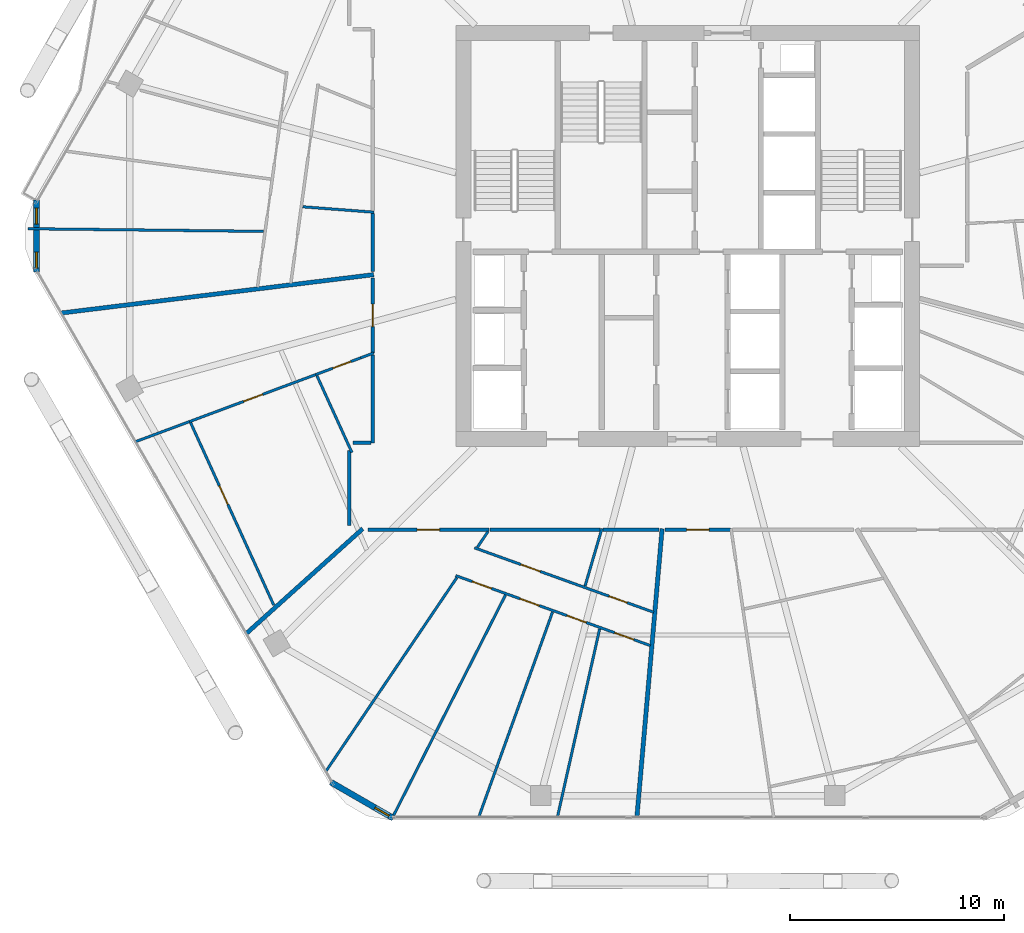
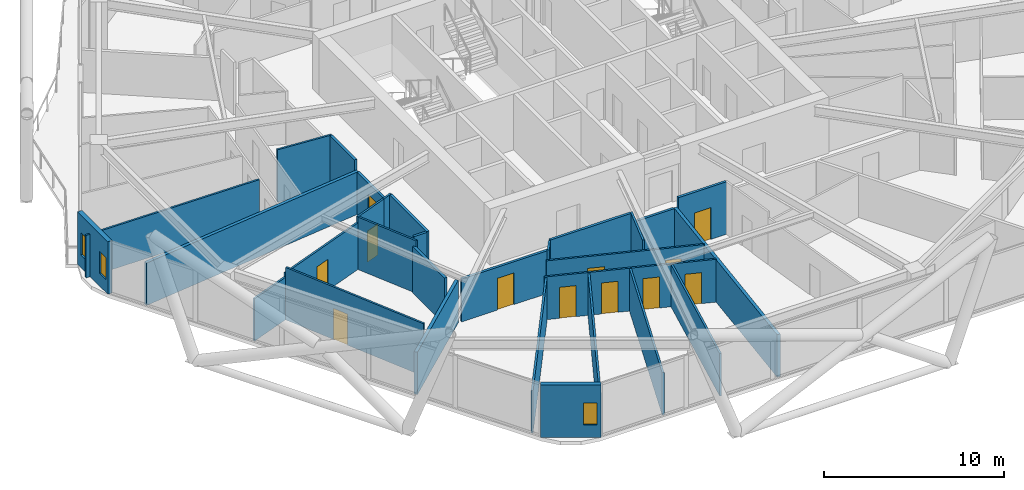
# One storey, part 20 of 28: 30 walls, 12 doors, 3 windows, 15 openings.
"""IFC4 building model written with IfcOpenShell, lengths in metres."""

from ifc_helpers import new_model, si_unit, direction, frame, frame_2d, origin, place, context, subcontext, project, spatial, rectangle, extrude, material, layer, layer_set, type_object, element, fill, save


model = new_model("IFC4")

# Units and contexts
model_context = context("Model", 3, precision=1e-05, world=origin(), true_north=direction((0.0, 1.0)))
body_context = subcontext(model_context, "Body", "Model", "MODEL_VIEW")
ifc_project = project(units=[si_unit("LENGTHUNIT", "METRE"), si_unit("AREAUNIT", "SQUARE_METRE"), si_unit("VOLUMEUNIT", "CUBIC_METRE"), si_unit("PLANEANGLEUNIT", "RADIAN"), si_unit("MASSUNIT", "GRAM", prefix="KILO")], contexts=[model_context])

# Site, building, storey
site_placement = place(None, origin())
site = spatial("IfcSite", under=ifc_project, at=site_placement, CompositionType="ELEMENT")
building_placement = place(site_placement, origin())
building = spatial("IfcBuilding", under=site, at=building_placement, Name="Zuhravey Tower", CompositionType="ELEMENT")
storey_placement = place(building_placement, frame((0.0, 0.0, 199.800048828125)))
storey = spatial("IfcBuildingStorey", under=building, at=storey_placement, Name="L50", CompositionType="ELEMENT", Elevation=199.800048828125)

# Wall, opening, door
ifc_material_1 = material(Name="Gypsum fire-rated stud partition")
ifc_layer_1 = layer(ifc_material_1, 0.159912109375)
ifc_layer_set_1 = layer_set([ifc_layer_1], Name="Gypsum fire-rated stud partition")
wall_type_1 = type_object("IfcWallType", Name="Corridor Fire Partition 160", PredefinedType="PARTITIONING", material=ifc_layer_set_1)
wall_1_placement = place(storey_placement, frame((21.27001953125, 30.04052734375, 0.0), z_axis=(0.0, 0.0, 1.0), x_axis=(0.0, -1.0, 0.0)))
wall_1 = element("IfcWall", 1, at=wall_1_placement, inside=storey, type_object=wall_type_1, Name="L50 IW16 Partition 039", PredefinedType="PARTITIONING", context=body_context, shape_type="SweptSolid", body=[
    extrude(rectangle(XDim=3.503173828125, YDim=0.159912109375, at=frame_2d((1.75146484375, 0.0))), origin(), (0.0, 0.0, 1.0), 2.89990234375),
])
opening_1_placement = place(wall_1_placement, frame((1.2265625, 0.0, 0.0)))
opening_1 = element("IfcOpeningElement", 2, at=opening_1_placement, cuts=wall_1, Name="Opening APD1", PredefinedType="OPENING", context=body_context, shape_type="SweptSolid", body=[
    extrude(rectangle(XDim=1.050048828125, YDim=2.14990234375, at=frame_2d((0.52490234375, 1.074951171875))), frame((0.0, 0.092041015625, 0.0), z_axis=(0.0, -1.0, 0.0), x_axis=(1.0, 0.0, 0.0)), (0.0, 0.0, 1.0), 0.183837890625),
])
ifc_material_2 = material(Name="Solid-core oak fire-rated leaf")
door_type_1 = type_object("IfcDoorType", Name="Apartment Entrance Fire Door 1050x2150", OperationType="NOTDEFINED", PredefinedType="DOOR", material=ifc_material_2)
door_1_placement = place(opening_1_placement, frame((1.050048828125, 0.0, 0.0), z_axis=(0.0, 0.0, 1.0), x_axis=(-1.0, 0.0, 0.0)))
door_1 = element("IfcDoor", 3, at=door_1_placement, inside=storey, type_object=door_type_1, Name="L50 Door 039.1", OperationType="SINGLE_SWING_LEFT", OverallHeight=2.14990234375, OverallWidth=1.050048828125, PredefinedType="DOOR", context=body_context, shape_type="SweptSolid", body=[
    extrude(rectangle(XDim=1.050048828125, YDim=2.14990234375, at=frame_2d((0.52490234375, 1.074951171875))), frame((0.0, 0.02490234375, 0.0), z_axis=(0.0, -1.0, 0.0), x_axis=(1.0, 0.0, 0.0)), (0.0, 0.0, 1.0), 0.050048828125),
])
fill(opening_1, door_1)

wall_2_placement = place(storey_placement, frame((21.0458984375, 18.27001953125, 0.0), z_axis=(0.0, 0.0, 1.0), x_axis=(1.0, 0.0, 0.0)))
wall_2 = element("IfcWall", 4, at=wall_2_placement, inside=storey, type_object=wall_type_1, Name="L50 IW16 Partition 042", PredefinedType="PARTITIONING", context=body_context, shape_type="SweptSolid", body=[
    extrude(rectangle(XDim=5.64794921875, YDim=0.159912109375, at=frame_2d((2.823974609375, 0.0))), origin(), (0.0, 0.0, 1.0), 2.89990234375),
])
opening_2_placement = place(wall_2_placement, frame((2.299072265625, 0.0, 0.0)))
opening_2 = element("IfcOpeningElement", 5, at=opening_2_placement, cuts=wall_2, Name="Opening APD1", PredefinedType="OPENING", context=body_context, shape_type="SweptSolid", body=[
    extrude(rectangle(XDim=1.050048828125, YDim=2.14990234375, at=frame_2d((0.52490234375, 1.074951171875))), frame((0.0, 0.092041015625, 0.0), z_axis=(0.0, -1.0, 0.0), x_axis=(1.0, 0.0, 0.0)), (0.0, 0.0, 1.0), 0.183837890625),
])
door_2_placement = place(opening_2_placement, frame((1.050048828125, 0.0, 0.0), z_axis=(0.0, 0.0, 1.0), x_axis=(-1.0, 0.0, 0.0)))
door_2 = element("IfcDoor", 6, at=door_2_placement, inside=storey, type_object=door_type_1, Name="L50 Door 042.1", OperationType="SINGLE_SWING_RIGHT", OverallHeight=2.14990234375, OverallWidth=1.050048828125, PredefinedType="DOOR", context=body_context, shape_type="SweptSolid", body=[
    extrude(rectangle(XDim=1.050048828125, YDim=2.14990234375, at=frame_2d((0.52490234375, 1.074951171875))), frame((0.0, 0.02490234375, 0.0), z_axis=(0.0, -1.0, 0.0), x_axis=(1.0, 0.0, 0.0)), (0.0, 0.0, 1.0), 0.050048828125),
])
fill(opening_2, door_2)

wall_3_placement = place(storey_placement, frame((34.939453125, 18.27001953125, 0.0), z_axis=(0.0, 0.0, 1.0), x_axis=(1.0, 0.0, 0.0)))
wall_3 = element("IfcWall", 7, at=wall_3_placement, inside=storey, type_object=wall_type_1, Name="L50 IW16 Partition 046", PredefinedType="PARTITIONING", context=body_context, shape_type="SweptSolid", body=[
    extrude(rectangle(XDim=3.07275390625, YDim=0.159912109375, at=frame_2d((1.536376953125, 0.0))), origin(), (0.0, 0.0, 1.0), 3.550048828125),
])
opening_3_placement = place(wall_3_placement, frame((1.01123046875, 0.0, 0.0)))
opening_3 = element("IfcOpeningElement", 8, at=opening_3_placement, cuts=wall_3, Name="Opening APD1", PredefinedType="OPENING", context=body_context, shape_type="SweptSolid", body=[
    extrude(rectangle(XDim=1.050048828125, YDim=2.14990234375, at=frame_2d((0.52490234375, 1.074951171875))), frame((0.0, 0.092041015625, 0.0), z_axis=(0.0, -1.0, 0.0), x_axis=(1.0, 0.0, 0.0)), (0.0, 0.0, 1.0), 0.183837890625),
])
door_3_placement = place(opening_3_placement, frame((1.050048828125, 0.0, 0.0), z_axis=(0.0, 0.0, 1.0), x_axis=(-1.0, 0.0, 0.0)))
door_3 = element("IfcDoor", 9, at=door_3_placement, inside=storey, type_object=door_type_1, Name="L50 Door 046.1", OperationType="SINGLE_SWING_RIGHT", OverallHeight=2.14990234375, OverallWidth=1.050048828125, PredefinedType="DOOR", context=body_context, shape_type="SweptSolid", body=[
    extrude(rectangle(XDim=1.050048828125, YDim=2.14990234375, at=frame_2d((0.52490234375, 1.074951171875))), frame((0.0, 0.02490234375, 0.0), z_axis=(0.0, -1.0, 0.0), x_axis=(1.0, 0.0, 0.0)), (0.0, 0.0, 1.0), 0.050048828125),
])
fill(opening_3, door_3)

# Walls
wall_4_placement = place(storey_placement, frame((21.27001953125, 33.052978515625, 0.0), z_axis=(0.0, 0.0, 1.0), x_axis=(0.0, -1.0, 0.0)))
element("IfcWall", 10, at=wall_4_placement, inside=storey, type_object=wall_type_1, Name="L50 IW16 Partition 128", PredefinedType="PARTITIONING", context=body_context, shape_type="SweptSolid", body=[
    extrude(rectangle(XDim=2.711181640625, YDim=0.159912109375, at=frame_2d((1.35546875, 0.0))), origin(), (0.0, 0.0, 1.0), 3.550048828125),
])
wall_5_placement = place(storey_placement, frame((21.27001953125, 26.443603515625, 0.0), z_axis=(0.0, 0.0, 1.0), x_axis=(0.0, -1.0, 0.0)))
element("IfcWall", 11, at=wall_5_placement, inside=storey, type_object=wall_type_1, Name="L50 IW16 Partition 129", PredefinedType="PARTITIONING", context=body_context, shape_type="SweptSolid", body=[
    extrude(rectangle(XDim=4.113525390625, YDim=0.159912109375, at=frame_2d((2.056640625, 0.0))), origin(), (0.0, 0.0, 1.0), 3.550048828125),
])
wall_6_placement = place(storey_placement, frame((21.181884765625, 22.330078125, 0.0), z_axis=(0.0, 0.0, 1.0), x_axis=(-1.0, 0.0, 0.0)))
element("IfcWall", 12, at=wall_6_placement, inside=storey, type_object=wall_type_1, Name="L50 IW16 Partition 130", PredefinedType="PARTITIONING", context=body_context, shape_type="SweptSolid", body=[
    extrude(rectangle(XDim=0.831787109375, YDim=0.159912109375, at=frame_2d((0.416015625, 0.0))), origin(), (0.0, 0.0, 1.0), 3.550048828125),
])
wall_7_placement = place(storey_placement, frame((20.169921875, 21.975830078125, 0.0), z_axis=(0.0, 0.0, 1.0), x_axis=(0.0, -1.0, 0.0)))
element("IfcWall", 13, at=wall_7_placement, inside=storey, type_object=wall_type_1, Name="L50 IW16 Partition 131", PredefinedType="PARTITIONING", context=body_context, shape_type="SweptSolid", body=[
    extrude(rectangle(XDim=3.52587890625, YDim=0.159912109375, at=frame_2d((1.762939453125, 0.0))), origin(), (0.0, 0.0, 1.0), 3.14990234375),
])
wall_8_placement = place(storey_placement, frame((26.7421875, 18.27001953125, 0.0), z_axis=(0.0, 0.0, 1.0), x_axis=(1.0, 0.0, 0.0)))
element("IfcWall", 14, at=wall_8_placement, inside=storey, type_object=wall_type_1, Name="L50 IW16 Partition 132", PredefinedType="PARTITIONING", context=body_context, shape_type="SweptSolid", body=[
    extrude(rectangle(XDim=5.158203125, YDim=0.159912109375, at=frame_2d((2.5791015625, 0.0))), origin(), (0.0, 0.0, 1.0), 3.550048828125),
])
wall_9_placement = place(storey_placement, frame((32.042236328125, 18.27001953125, 0.0), z_axis=(0.0, 0.0, 1.0), x_axis=(1.0, 0.0, 0.0)))
element("IfcWall", 15, at=wall_9_placement, inside=storey, type_object=wall_type_1, Name="L50 IW16 Partition 133", PredefinedType="PARTITIONING", context=body_context, shape_type="SweptSolid", body=[
    extrude(rectangle(XDim=2.61572265625, YDim=0.159912109375, at=frame_2d((1.307861328125, 0.0))), origin(), (0.0, 0.0, 1.0), 2.89990234375),
])

# Wall, opening, window
ifc_material_3 = material(Name="Precast concrete C40/50", Category="concrete")
ifc_layer_2 = layer(ifc_material_3, 0.280029296875)
ifc_layer_set_2 = layer_set([ifc_layer_2], Name="Precast concrete C40/50")
wall_type_2 = type_object("IfcWallType", Name="Crown Architectural Wall 280", PredefinedType="SOLIDWALL", material=ifc_layer_set_2)
wall_10_placement = place(storey_placement, frame((22.22119140625, 4.769287109375, 0.0), z_axis=(0.0, 0.0, 1.0), x_axis=(-0.866020068361, 0.500009241111, 0.0)))
wall_10 = element("IfcWall", 16, at=wall_10_placement, inside=storey, type_object=wall_type_2, Name="L50 Rounded Corner Closure Wall EW28-04", PredefinedType="SOLIDWALL", context=body_context, shape_type="SweptSolid", body=[
    extrude(rectangle(XDim=3.365234375, YDim=0.280029296875, at=frame_2d((1.6826171875, 0.0))), origin(), (0.0, 0.0, 1.0), 3.550048828125),
])
opening_4_placement = place(wall_10_placement, frame((0.22802734375, 0.0, 0.85009765625)))
opening_4 = element("IfcOpeningElement", 17, at=opening_4_placement, cuts=wall_10, Name="Opening WN5", PredefinedType="OPENING", context=body_context, shape_type="SweptSolid", body=[
    extrude(rectangle(XDim=0.75, YDim=1.5, at=frame_2d((0.375, 0.75))), frame((0.0, 0.152099609375, 0.0), z_axis=(0.0, -1.0, 0.0), x_axis=(1.0, 0.0, 0.0)), (0.0, 0.0, 1.0), 0.303955078125),
])
ifc_material_4 = material(Name="Thermally broken aluminium and triple low-E glass", Category="aluminium")
window_type = type_object("IfcWindowType", Name="Residential Corner Casement Window 750x1500", PartitioningType="SINGLE_PANEL", PredefinedType="WINDOW", material=ifc_material_4)
window_1_placement = place(opening_4_placement, origin())
window_1 = element("IfcWindow", 18, at=window_1_placement, inside=storey, type_object=window_type, Name="L50 Corner Casement Window WN5-04.1", OverallHeight=1.5, OverallWidth=0.75, PartitioningType="SINGLE_PANEL", PredefinedType="WINDOW", context=body_context, shape_type="SweptSolid", body=[
    extrude(rectangle(XDim=0.75, YDim=1.5, at=frame_2d((0.375, 0.75))), frame((0.0, 0.030029296875, 0.0), z_axis=(0.0, -1.0, 0.0), x_axis=(1.0, 0.0, 0.0)), (0.0, 0.0, 1.0), 0.06005859375),
])
fill(opening_4, window_1)

# Wall, openings, windows
wall_11_placement = place(storey_placement, frame((5.5283203125, 30.3173828125, 0.0), z_axis=(0.0, 0.0, 1.0), x_axis=(0.0, 1.0, 0.0)))
wall_11 = element("IfcWall", 19, at=wall_11_placement, inside=storey, type_object=wall_type_2, Name="L50 Rounded Corner Closure Wall EW28-06", PredefinedType="SOLIDWALL", context=body_context, shape_type="SweptSolid", body=[
    extrude(rectangle(XDim=3.365234375, YDim=0.280029296875, at=frame_2d((1.6826171875, 0.0))), origin(), (0.0, 0.0, 1.0), 3.550048828125),
])
opening_5_placement = place(wall_11_placement, frame((2.23974609375, 0.0, 0.85009765625)))
opening_5 = element("IfcOpeningElement", 20, at=opening_5_placement, cuts=wall_11, Name="Opening WN5", PredefinedType="OPENING", context=body_context, shape_type="SweptSolid", body=[
    extrude(rectangle(XDim=0.75, YDim=1.5, at=frame_2d((0.375, 0.75))), frame((0.0, 0.152099609375, 0.0), z_axis=(0.0, -1.0, 0.0), x_axis=(1.0, 0.0, 0.0)), (0.0, 0.0, 1.0), 0.303955078125),
])
opening_6_placement = place(wall_11_placement, frame((0.17919921875, 0.0, 0.85009765625)))
opening_6 = element("IfcOpeningElement", 21, at=opening_6_placement, cuts=wall_11, Name="Opening WN5", PredefinedType="OPENING", context=body_context, shape_type="SweptSolid", body=[
    extrude(rectangle(XDim=0.75, YDim=1.5, at=frame_2d((0.375, 0.75))), frame((0.0, 0.152099609375, 0.0), z_axis=(0.0, -1.0, 0.0), x_axis=(1.0, 0.0, 0.0)), (0.0, 0.0, 1.0), 0.303955078125),
])
window_2_placement = place(opening_5_placement, origin())
window_2 = element("IfcWindow", 22, at=window_2_placement, inside=storey, type_object=window_type, Name="L50 Corner Casement Window WN5-06.1", OverallHeight=1.5, OverallWidth=0.75, PartitioningType="SINGLE_PANEL", PredefinedType="WINDOW", context=body_context, shape_type="SweptSolid", body=[
    extrude(rectangle(XDim=0.75, YDim=1.5, at=frame_2d((0.375, 0.75))), frame((0.0, 0.030029296875, 0.0), z_axis=(0.0, -1.0, 0.0), x_axis=(1.0, 0.0, 0.0)), (0.0, 0.0, 1.0), 0.06005859375),
])
fill(opening_5, window_2)
window_3_placement = place(opening_6_placement, origin())
window_3 = element("IfcWindow", 23, at=window_3_placement, inside=storey, type_object=window_type, Name="L50 Corner Casement Window WN5-06.2", OverallHeight=1.5, OverallWidth=0.75, PartitioningType="SINGLE_PANEL", PredefinedType="WINDOW", context=body_context, shape_type="SweptSolid", body=[
    extrude(rectangle(XDim=0.75, YDim=1.5, at=frame_2d((0.375, 0.75))), frame((0.0, 0.030029296875, 0.0), z_axis=(0.0, -1.0, 0.0), x_axis=(1.0, 0.0, 0.0)), (0.0, 0.0, 1.0), 0.06005859375),
])
fill(opening_6, window_3)

# Walls
ifc_material_5 = material(Name="Gypsum double-stud party assembly")
ifc_layer_3 = layer(ifc_material_5, 0.199951171875)
ifc_layer_set_3 = layer_set([ifc_layer_3], Name="Gypsum double-stud party assembly")
wall_type_3 = type_object("IfcWallType", Name="Inter-Tenancy Party Wall 200", PredefinedType="PARTITIONING", material=ifc_layer_set_3)
wall_12_placement = place(storey_placement, frame((21.31005859375, 30.1962890625, 0.0), z_axis=(0.0, 0.0, 1.0), x_axis=(-0.992546304435, -0.121868098997, 0.0)))
element("IfcWall", 24, at=wall_12_placement, inside=storey, type_object=wall_type_3, Name="L50 IW20 Partition 090", PredefinedType="PARTITIONING", context=body_context, shape_type="SweptSolid", body=[
    extrude(rectangle(XDim=14.73046875, YDim=0.199951171875, at=frame_2d((7.365234375, 0.0))), origin(), (0.0, 0.0, 1.0), 2.869873046875),
])
wall_13_placement = place(storey_placement, frame((20.795654296875, 18.31005859375, 0.0), z_axis=(0.0, 0.0, 1.0), x_axis=(-0.743136814575, -0.66913950326, 0.0)))
element("IfcWall", 25, at=wall_13_placement, inside=storey, type_object=wall_type_3, Name="L50 IW20 Partition 094", PredefinedType="PARTITIONING", context=body_context, shape_type="SweptSolid", body=[
    extrude(rectangle(XDim=7.3310546875, YDim=0.199951171875, at=frame_2d((3.66552734375, 0.0))), origin(), (0.0, 0.0, 1.0), 2.869873046875),
])
wall_14_placement = place(storey_placement, frame((34.80224609375, 18.31005859375, 0.0), z_axis=(0.0, 0.0, 1.0), x_axis=(-0.087149956805, -0.996195204279, 0.0)))
element("IfcWall", 26, at=wall_14_placement, inside=storey, type_object=wall_type_3, Name="L50 IW20 Partition 101", PredefinedType="PARTITIONING", context=body_context, shape_type="SweptSolid", body=[
    extrude(rectangle(XDim=13.544677734375, YDim=0.199951171875, at=frame_2d((6.7724609375, 0.0))), origin(), (0.0, 0.0, 1.0), 2.869873046875),
])

# Wall, opening, door
ifc_material_6 = material(Name="Gypsum metal-stud partition")
ifc_layer_4 = layer(ifc_material_6, 0.1201171875)
ifc_layer_set_4 = layer_set([ifc_layer_4], Name="Gypsum metal-stud partition")
wall_type_4 = type_object("IfcWallType", Name="Unit Internal Partition 120", PredefinedType="PARTITIONING", material=ifc_layer_set_4)
wall_15_placement = place(storey_placement, frame((20.699951171875, 26.303955078125, 0.0), z_axis=(0.0, 0.0, 1.0), x_axis=(-0.937146429419, -0.34893634065, 0.0)))
wall_15 = element("IfcWall", 27, at=wall_15_placement, inside=storey, type_object=wall_type_4, Name="L50 IW12 Partition 036", PredefinedType="PARTITIONING", context=body_context, shape_type="SweptSolid", body=[
    extrude(rectangle(XDim=2.23974609375, YDim=0.1201171875, at=frame_2d((1.119873046875, 0.0))), origin(), (0.0, 0.0, 1.0), 3.550048828125),
])
opening_7_placement = place(wall_15_placement, frame((0.490478515625, 0.0, 0.0)))
opening_7 = element("IfcOpeningElement", 28, at=opening_7_placement, cuts=wall_15, Name="Opening WCD1", PredefinedType="OPENING", context=body_context, shape_type="SweptSolid", body=[
    extrude(rectangle(XDim=0.89990234375, YDim=2.10009765625, at=frame_2d((0.449951171875, 1.050048828125))), frame((0.0, 0.072021484375, 0.0), z_axis=(0.0, -1.0, 0.0), x_axis=(1.0, 0.0, 0.0)), (0.0, 0.0, 1.0), 0.14404296875),
])
ifc_material_7 = material(Name="Moisture-resistant timber leaf", Category="wood")
door_type_2 = type_object("IfcDoorType", Name="Bathroom & WC Internal Door 900x2100", OperationType="NOTDEFINED", PredefinedType="DOOR", material=ifc_material_7)
door_4_placement = place(opening_7_placement, origin())
door_4 = element("IfcDoor", 29, at=door_4_placement, inside=storey, type_object=door_type_2, Name="Apartment L50-05 Bathroom Door", OperationType="SINGLE_SWING_RIGHT", OverallHeight=2.10009765625, OverallWidth=0.89990234375, PredefinedType="DOOR", context=body_context, shape_type="SweptSolid", body=[
    extrude(rectangle(XDim=0.89990234375, YDim=2.10009765625, at=frame_2d((0.449951171875, 1.050048828125))), frame((0.0, 0.02490234375, 0.0), z_axis=(0.0, -1.0, 0.0), x_axis=(1.0, 0.0, 0.0)), (0.0, 0.0, 1.0), 0.050048828125),
])
fill(opening_7, door_4)

wall_16_placement = place(storey_placement, frame((18.60107421875, 25.5224609375, 0.0), z_axis=(0.0, 0.0, 1.0), x_axis=(-0.937158847228, -0.348902988039, 0.0)))
wall_16 = element("IfcWall", 30, at=wall_16_placement, inside=storey, type_object=wall_type_4, Name="L50 IW12 Partition 037", PredefinedType="PARTITIONING", context=body_context, shape_type="SweptSolid", body=[
    extrude(rectangle(XDim=6.3046875, YDim=0.1201171875, at=frame_2d((3.15234375, 0.0))), origin(), (0.0, 0.0, 1.0), 3.14990234375),
])
opening_8_placement = place(wall_16_placement, frame((2.65234375, 0.0, 0.0)))
opening_8 = element("IfcOpeningElement", 31, at=opening_8_placement, cuts=wall_16, Name="Opening IND1", PredefinedType="OPENING", context=body_context, shape_type="SweptSolid", body=[
    extrude(rectangle(XDim=0.949951171875, YDim=2.10009765625, at=frame_2d((0.47509765625, 1.050048828125))), frame((0.0, 0.072021484375, 0.0), z_axis=(0.0, -1.0, 0.0), x_axis=(1.0, 0.0, 0.0)), (0.0, 0.0, 1.0), 0.14404296875),
])
ifc_material_8 = material(Name="Painted engineered timber leaf", Category="wood")
door_type_3 = type_object("IfcDoorType", Name="Internal Room & Bedroom Door 950x2100", OperationType="NOTDEFINED", PredefinedType="DOOR", material=ifc_material_8)
door_5_placement = place(opening_8_placement, origin())
door_5 = element("IfcDoor", 32, at=door_5_placement, inside=storey, type_object=door_type_3, Name="Apartment L50-05 Home Office Door", OperationType="SINGLE_SWING_LEFT", OverallHeight=2.10009765625, OverallWidth=0.949951171875, PredefinedType="DOOR", context=body_context, shape_type="SweptSolid", body=[
    extrude(rectangle(XDim=0.949951171875, YDim=2.10009765625, at=frame_2d((0.47509765625, 1.050048828125))), frame((0.0, 0.02490234375, 0.0), z_axis=(0.0, -1.0, 0.0), x_axis=(1.0, 0.0, 0.0)), (0.0, 0.0, 1.0), 0.050048828125),
])
fill(opening_8, door_5)

wall_17_placement = place(storey_placement, frame((12.744140625, 23.26953125, 0.0), z_axis=(0.0, 0.0, 1.0), x_axis=(0.414714516526, -0.909951575515, 0.0)))
wall_17 = element("IfcWall", 33, at=wall_17_placement, inside=storey, type_object=wall_type_4, Name="L50 IW12 Partition 038", PredefinedType="PARTITIONING", context=body_context, shape_type="SweptSolid", body=[
    extrude(rectangle(XDim=9.380859375, YDim=0.1201171875, at=frame_2d((4.6904296875, 0.0))), origin(), (0.0, 0.0, 1.0), 3.550048828125),
])
opening_9_placement = place(wall_17_placement, frame((3.251220703125, 0.0, 0.0)))
opening_9 = element("IfcOpeningElement", 34, at=opening_9_placement, cuts=wall_17, Name="Opening IND1", PredefinedType="OPENING", context=body_context, shape_type="SweptSolid", body=[
    extrude(rectangle(XDim=0.949951171875, YDim=2.10009765625, at=frame_2d((0.47509765625, 1.050048828125))), frame((0.0, 0.072021484375, 0.0), z_axis=(0.0, -1.0, 0.0), x_axis=(1.0, 0.0, 0.0)), (0.0, 0.0, 1.0), 0.14404296875),
])
door_6_placement = place(opening_9_placement, frame((0.949951171875, 0.0, 0.0), z_axis=(0.0, 0.0, 1.0), x_axis=(-1.0, 0.0, 0.0)))
door_6 = element("IfcDoor", 35, at=door_6_placement, inside=storey, type_object=door_type_3, Name="Apartment L50-05 Bedroom 1 Door", OperationType="SINGLE_SWING_RIGHT", OverallHeight=2.10009765625, OverallWidth=0.949951171875, PredefinedType="DOOR", context=body_context, shape_type="SweptSolid", body=[
    extrude(rectangle(XDim=0.949951171875, YDim=2.10009765625, at=frame_2d((0.47509765625, 1.050048828125))), frame((0.0, 0.02490234375, 0.0), z_axis=(0.0, -1.0, 0.0), x_axis=(1.0, 0.0, 0.0)), (0.0, 0.0, 1.0), 0.050048828125),
])
fill(opening_9, door_6)

# Wall, openings, doors
wall_18_placement = place(storey_placement, frame((26.021728515625, 17.418701171875, 0.0), z_axis=(0.0, 0.0, 1.0), x_axis=(0.940993203868, -0.338425457486, 0.0)))
wall_18 = element("IfcWall", 36, at=wall_18_placement, inside=storey, type_object=wall_type_4, Name="L50 IW12 Partition 040", PredefinedType="PARTITIONING", context=body_context, shape_type="SweptSolid", body=[
    extrude(rectangle(XDim=8.909912109375, YDim=0.1201171875, at=frame_2d((4.455078125, 0.0))), origin(), (0.0, 0.0, 1.0), 2.89990234375),
])
opening_10_placement = place(wall_18_placement, frame((2.316162109375, 0.0, 0.0)))
opening_10 = element("IfcOpeningElement", 37, at=opening_10_placement, cuts=wall_18, Name="Opening IND1", PredefinedType="OPENING", context=body_context, shape_type="SweptSolid", body=[
    extrude(rectangle(XDim=0.949951171875, YDim=2.10009765625, at=frame_2d((0.47509765625, 1.050048828125))), frame((0.0, 0.072021484375, 0.0), z_axis=(0.0, -1.0, 0.0), x_axis=(1.0, 0.0, 0.0)), (0.0, 0.0, 1.0), 0.14404296875),
])
opening_11_placement = place(wall_18_placement, frame((6.692626953125, 0.0, 0.0)))
opening_11 = element("IfcOpeningElement", 38, at=opening_11_placement, cuts=wall_18, Name="Opening WCD1", PredefinedType="OPENING", context=body_context, shape_type="SweptSolid", body=[
    extrude(rectangle(XDim=0.89990234375, YDim=2.10009765625, at=frame_2d((0.449951171875, 1.050048828125))), frame((0.0, 0.072021484375, 0.0), z_axis=(0.0, -1.0, 0.0), x_axis=(1.0, 0.0, 0.0)), (0.0, 0.0, 1.0), 0.14404296875),
])
door_7_placement = place(opening_11_placement, origin())
door_7 = element("IfcDoor", 39, at=door_7_placement, inside=storey, type_object=door_type_2, Name="Apartment L50-06 Bathroom Door", OperationType="SINGLE_SWING_LEFT", OverallHeight=2.10009765625, OverallWidth=0.89990234375, PredefinedType="DOOR", context=body_context, shape_type="SweptSolid", body=[
    extrude(rectangle(XDim=0.89990234375, YDim=2.10009765625, at=frame_2d((0.449951171875, 1.050048828125))), frame((0.0, 0.02490234375, 0.0), z_axis=(0.0, -1.0, 0.0), x_axis=(1.0, 0.0, 0.0)), (0.0, 0.0, 1.0), 0.050048828125),
])
fill(opening_11, door_7)
door_8_placement = place(opening_10_placement, origin())
door_8 = element("IfcDoor", 40, at=door_8_placement, inside=storey, type_object=door_type_3, Name="Apartment L50-06 Kitchen Door", OperationType="SINGLE_SWING_RIGHT", OverallHeight=2.10009765625, OverallWidth=0.949951171875, PredefinedType="DOOR", context=body_context, shape_type="SweptSolid", body=[
    extrude(rectangle(XDim=0.949951171875, YDim=2.10009765625, at=frame_2d((0.47509765625, 1.050048828125))), frame((0.0, 0.02490234375, 0.0), z_axis=(0.0, -1.0, 0.0), x_axis=(1.0, 0.0, 0.0)), (0.0, 0.0, 1.0), 0.050048828125),
])
fill(opening_10, door_8)

wall_19_placement = place(storey_placement, frame((25.143310546875, 16.119140625, 0.0), z_axis=(0.0, 0.0, 1.0), x_axis=(0.940999845239, -0.33840699056, 0.0)))
wall_19 = element("IfcWall", 41, at=wall_19_placement, inside=storey, type_object=wall_type_4, Name="L50 IW12 Partition 041", PredefinedType="PARTITIONING", context=body_context, shape_type="SweptSolid", body=[
    extrude(rectangle(XDim=9.683837890625, YDim=0.1201171875, at=frame_2d((4.841796875, 0.0))), origin(), (0.0, 0.0, 1.0), 2.89990234375),
])
opening_12_placement = place(wall_19_placement, frame((0.829833984375, 0.0, 0.0)))
opening_12 = element("IfcOpeningElement", 42, at=opening_12_placement, cuts=wall_19, Name="Opening IND1", PredefinedType="OPENING", context=body_context, shape_type="SweptSolid", body=[
    extrude(rectangle(XDim=0.949951171875, YDim=2.10009765625, at=frame_2d((0.47509765625, 1.050048828125))), frame((0.0, 0.072021484375, 0.0), z_axis=(0.0, -1.0, 0.0), x_axis=(1.0, 0.0, 0.0)), (0.0, 0.0, 1.0), 0.14404296875),
])
opening_13_placement = place(wall_19_placement, frame((3.200439453125, 0.0, 0.0)))
opening_13 = element("IfcOpeningElement", 43, at=opening_13_placement, cuts=wall_19, Name="Opening IND1", PredefinedType="OPENING", context=body_context, shape_type="SweptSolid", body=[
    extrude(rectangle(XDim=0.949951171875, YDim=2.10009765625, at=frame_2d((0.47509765625, 1.050048828125))), frame((0.0, 0.072021484375, 0.0), z_axis=(0.0, -1.0, 0.0), x_axis=(1.0, 0.0, 0.0)), (0.0, 0.0, 1.0), 0.14404296875),
])
opening_14_placement = place(wall_19_placement, frame((5.533447265625, 0.0, 0.0)))
opening_14 = element("IfcOpeningElement", 44, at=opening_14_placement, cuts=wall_19, Name="Opening IND1", PredefinedType="OPENING", context=body_context, shape_type="SweptSolid", body=[
    extrude(rectangle(XDim=0.949951171875, YDim=2.10009765625, at=frame_2d((0.47509765625, 1.050048828125))), frame((0.0, 0.072021484375, 0.0), z_axis=(0.0, -1.0, 0.0), x_axis=(1.0, 0.0, 0.0)), (0.0, 0.0, 1.0), 0.14404296875),
])
opening_15_placement = place(wall_19_placement, frame((7.904052734375, 0.0, 0.0)))
opening_15 = element("IfcOpeningElement", 45, at=opening_15_placement, cuts=wall_19, Name="Opening IND1", PredefinedType="OPENING", context=body_context, shape_type="SweptSolid", body=[
    extrude(rectangle(XDim=0.949951171875, YDim=2.10009765625, at=frame_2d((0.47509765625, 1.050048828125))), frame((0.0, 0.072021484375, 0.0), z_axis=(0.0, -1.0, 0.0), x_axis=(1.0, 0.0, 0.0)), (0.0, 0.0, 1.0), 0.14404296875),
])
door_9_placement = place(opening_12_placement, frame((0.949951171875, 0.0, 0.0), z_axis=(0.0, 0.0, 1.0), x_axis=(-1.0, 0.0, 0.0)))
door_9 = element("IfcDoor", 46, at=door_9_placement, inside=storey, type_object=door_type_3, Name="Apartment L50-06 Bedroom 1 Door", OperationType="SINGLE_SWING_RIGHT", OverallHeight=2.10009765625, OverallWidth=0.949951171875, PredefinedType="DOOR", context=body_context, shape_type="SweptSolid", body=[
    extrude(rectangle(XDim=0.949951171875, YDim=2.10009765625, at=frame_2d((0.47509765625, 1.050048828125))), frame((0.0, 0.02490234375, 0.0), z_axis=(0.0, -1.0, 0.0), x_axis=(1.0, 0.0, 0.0)), (0.0, 0.0, 1.0), 0.050048828125),
])
fill(opening_12, door_9)
door_10_placement = place(opening_13_placement, frame((0.949951171875, 0.0, 0.0), z_axis=(0.0, 0.0, 1.0), x_axis=(-1.0, 0.0, 0.0)))
door_10 = element("IfcDoor", 47, at=door_10_placement, inside=storey, type_object=door_type_3, Name="Apartment L50-06 Bedroom 2 Door", OperationType="SINGLE_SWING_LEFT", OverallHeight=2.10009765625, OverallWidth=0.949951171875, PredefinedType="DOOR", context=body_context, shape_type="SweptSolid", body=[
    extrude(rectangle(XDim=0.949951171875, YDim=2.10009765625, at=frame_2d((0.47509765625, 1.050048828125))), frame((0.0, 0.02490234375, 0.0), z_axis=(0.0, -1.0, 0.0), x_axis=(1.0, 0.0, 0.0)), (0.0, 0.0, 1.0), 0.050048828125),
])
fill(opening_13, door_10)
door_11_placement = place(opening_14_placement, frame((0.949951171875, 0.0, 0.0), z_axis=(0.0, 0.0, 1.0), x_axis=(-1.0, 0.0, 0.0)))
door_11 = element("IfcDoor", 48, at=door_11_placement, inside=storey, type_object=door_type_3, Name="Apartment L50-06 Bedroom 3 Door", OperationType="SINGLE_SWING_RIGHT", OverallHeight=2.10009765625, OverallWidth=0.949951171875, PredefinedType="DOOR", context=body_context, shape_type="SweptSolid", body=[
    extrude(rectangle(XDim=0.949951171875, YDim=2.10009765625, at=frame_2d((0.47509765625, 1.050048828125))), frame((0.0, 0.02490234375, 0.0), z_axis=(0.0, -1.0, 0.0), x_axis=(1.0, 0.0, 0.0)), (0.0, 0.0, 1.0), 0.050048828125),
])
fill(opening_14, door_11)
door_12_placement = place(opening_15_placement, frame((0.949951171875, 0.0, 0.0), z_axis=(0.0, 0.0, 1.0), x_axis=(-1.0, 0.0, 0.0)))
door_12 = element("IfcDoor", 49, at=door_12_placement, inside=storey, type_object=door_type_3, Name="Apartment L50-06 Bedroom 4 Door", OperationType="SINGLE_SWING_LEFT", OverallHeight=2.10009765625, OverallWidth=0.949951171875, PredefinedType="DOOR", context=body_context, shape_type="SweptSolid", body=[
    extrude(rectangle(XDim=0.949951171875, YDim=2.10009765625, at=frame_2d((0.47509765625, 1.050048828125))), frame((0.0, 0.02490234375, 0.0), z_axis=(0.0, -1.0, 0.0), x_axis=(1.0, 0.0, 0.0)), (0.0, 0.0, 1.0), 0.050048828125),
])
fill(opening_15, door_12)

# Walls
wall_20_placement = place(storey_placement, frame((21.320068359375, 33.117431640625, 0.0), z_axis=(0.0, 0.0, 1.0), x_axis=(-0.997116933527, 0.075880306232, 0.0)))
element("IfcWall", 50, at=wall_20_placement, inside=storey, type_object=wall_type_4, Name="L50 IW12 Partition 083", PredefinedType="PARTITIONING", context=body_context, shape_type="SweptSolid", body=[
    extrude(rectangle(XDim=3.339599609375, YDim=0.1201171875, at=frame_2d((1.669921875, 0.0))), origin(), (0.0, 0.0, 1.0), 3.550048828125),
])
wall_21_placement = place(storey_placement, frame((16.16162109375, 32.2216796875, 0.0), z_axis=(0.0, 0.0, 1.0), x_axis=(-0.99993777631, 0.011155425089, 0.0)))
element("IfcWall", 51, at=wall_21_placement, inside=storey, type_object=wall_type_4, Name="L50 IW12 Partition 087", PredefinedType="PARTITIONING", context=body_context, shape_type="SweptSolid", body=[
    extrude(rectangle(XDim=11.0302734375, YDim=0.1201171875, at=frame_2d((5.51513671875, 0.0))), origin(), (0.0, 0.0, 1.0), 2.869873046875),
])
wall_22_placement = place(storey_placement, frame((21.3134765625, 26.5322265625, 0.0), z_axis=(0.0, 0.0, 1.0), x_axis=(-0.937230355165, -0.348710856379, 0.0)))
element("IfcWall", 52, at=wall_22_placement, inside=storey, type_object=wall_type_4, Name="L50 IW12 Partition 091", PredefinedType="PARTITIONING", context=body_context, shape_type="SweptSolid", body=[
    extrude(rectangle(XDim=0.654541015625, YDim=0.1201171875, at=frame_2d((0.3271484375, 0.0))), origin(), (0.0, 0.0, 1.0), 3.550048828125),
])
wall_23_placement = place(storey_placement, frame((12.692626953125, 23.32275390625, 0.0), z_axis=(0.0, 0.0, 1.0), x_axis=(-0.937173079669, -0.348864757096, 0.0)))
element("IfcWall", 53, at=wall_23_placement, inside=storey, type_object=wall_type_4, Name="L50 IW12 Partition 092", PredefinedType="PARTITIONING", context=body_context, shape_type="SweptSolid", body=[
    extrude(rectangle(XDim=2.701904296875, YDim=0.1201171875, at=frame_2d((1.35107421875, 0.0))), origin(), (0.0, 0.0, 1.0), 2.869873046875),
])
wall_24_placement = place(storey_placement, frame((18.652587890625, 25.46923828125, 0.0), z_axis=(0.0, 0.0, 1.0), x_axis=(0.41474383849, -0.909938211328, 0.0)))
element("IfcWall", 54, at=wall_24_placement, inside=storey, type_object=wall_type_4, Name="L50 IW12 Partition 093", PredefinedType="PARTITIONING", context=body_context, shape_type="SweptSolid", body=[
    extrude(rectangle(XDim=3.947998046875, YDim=0.1201171875, at=frame_2d((1.97412109375, 0.0))), origin(), (0.0, 0.0, 1.0), 3.550048828125),
])
wall_25_placement = place(storey_placement, frame((31.986083984375, 18.320068359375, 0.0), z_axis=(0.0, 0.0, 1.0), x_axis=(-0.281614682236, -0.959527576857, 0.0)))
element("IfcWall", 55, at=wall_25_placement, inside=storey, type_object=wall_type_4, Name="L50 IW12 Partition 095", PredefinedType="PARTITIONING", context=body_context, shape_type="SweptSolid", body=[
    extrude(rectangle(XDim=2.8037109375, YDim=0.1201171875, at=frame_2d((1.40185546875, 0.0))), origin(), (0.0, 0.0, 1.0), 3.550048828125),
])
wall_26_placement = place(storey_placement, frame((27.47412109375, 15.208740234375, 0.0), z_axis=(0.0, 0.0, 1.0), x_axis=(-0.452763264815, -0.89163076777, 0.0)))
element("IfcWall", 56, at=wall_26_placement, inside=storey, type_object=wall_type_4, Name="L50 IW12 Partition 096", PredefinedType="PARTITIONING", context=body_context, shape_type="SweptSolid", body=[
    extrude(rectangle(XDim=11.666015625, YDim=0.1201171875, at=frame_2d((5.8330078125, 0.0))), origin(), (0.0, 0.0, 1.0), 2.869873046875),
])
wall_27_placement = place(storey_placement, frame((29.676513671875, 14.416748046875, 0.0), z_axis=(0.0, 0.0, 1.0), x_axis=(-0.33839522172, -0.941004077524, 0.0)))
element("IfcWall", 57, at=wall_27_placement, inside=storey, type_object=wall_type_4, Name="L50 IW12 Partition 097", PredefinedType="PARTITIONING", context=body_context, shape_type="SweptSolid", body=[
    extrude(rectangle(XDim=10.21240234375, YDim=0.1201171875, at=frame_2d((5.106201171875, 0.0))), origin(), (0.0, 0.0, 1.0), 2.869873046875),
])
wall_28_placement = place(storey_placement, frame((31.879150390625, 13.62451171875, 0.0), z_axis=(0.0, 0.0, 1.0), x_axis=(-0.218835198181, -0.975761833665, 0.0)))
element("IfcWall", 58, at=wall_28_placement, inside=storey, type_object=wall_type_4, Name="L50 IW12 Partition 098", PredefinedType="PARTITIONING", context=body_context, shape_type="SweptSolid", body=[
    extrude(rectangle(XDim=9.03662109375, YDim=0.1201171875, at=frame_2d((4.518310546875, 0.0))), origin(), (0.0, 0.0, 1.0), 2.869873046875),
])
wall_29_placement = place(storey_placement, frame((26.65869140625, 18.181884765625, 0.0), z_axis=(0.0, 0.0, 1.0), x_axis=(-0.560237678538, -0.828331904219, 0.0)))
element("IfcWall", 59, at=wall_29_placement, inside=storey, type_object=wall_type_4, Name="L50 IW12 Partition 099", PredefinedType="PARTITIONING", context=body_context, shape_type="SweptSolid", body=[
    extrude(rectangle(XDim=0.893310546875, YDim=0.1201171875, at=frame_2d((0.44677734375, 0.0))), origin(), (0.0, 0.0, 1.0), 3.550048828125),
])
wall_30_placement = place(storey_placement, frame((25.201171875, 16.026123046875, 0.0), z_axis=(0.0, 0.0, 1.0), x_axis=(-0.560066581078, -0.828447599284, 0.0)))
element("IfcWall", 60, at=wall_30_placement, inside=storey, type_object=wall_type_4, Name="L50 IW12 Partition 100", PredefinedType="PARTITIONING", context=body_context, shape_type="SweptSolid", body=[
    extrude(rectangle(XDim=10.9580078125, YDim=0.1201171875, at=frame_2d((5.47900390625, 0.0))), origin(), (0.0, 0.0, 1.0), 2.869873046875),
])

save(model, "model.ifc")
